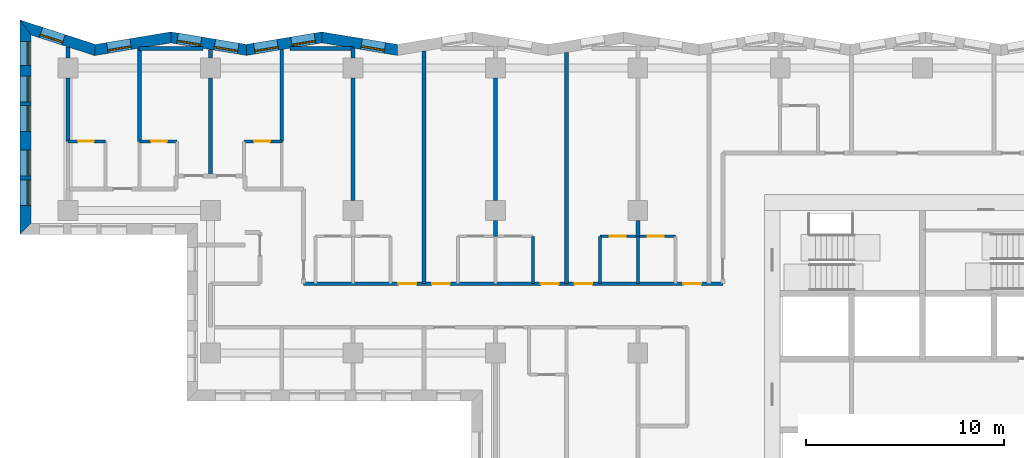
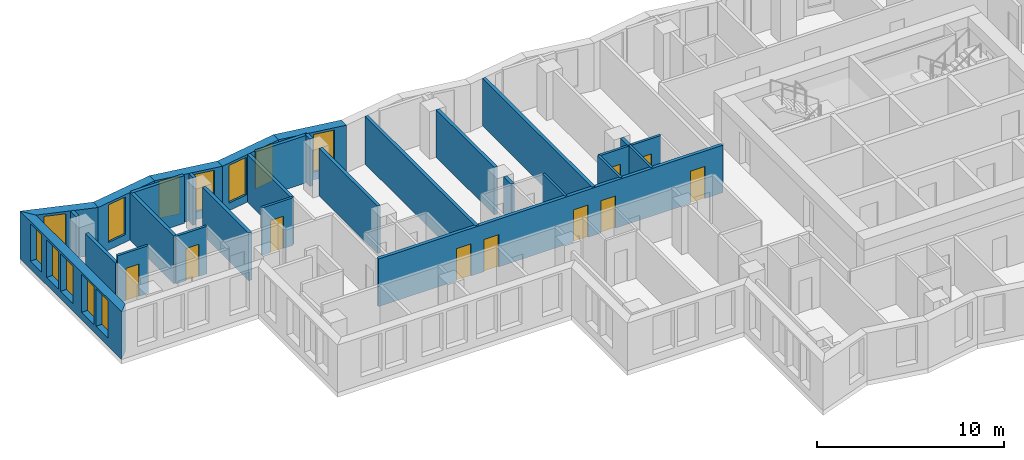
# One storey, part 5 of 14: 29 walls, 12 windows, 10 doors, 22 openings.
"""IFC4 building model written with IfcOpenShell, lengths in metres."""

from ifc_helpers import new_model, si_unit, direction, frame, frame_2d, origin, place, context, subcontext, project, spatial, polyline, rectangle, outline, extrude, material, layer, layer_set, type_object, element, fill, save


model = new_model("IFC4")

# Units and contexts
model_context = context("Model", 3, precision=1e-05, world=origin(), true_north=direction((0.0, 1.0)))
body_context = subcontext(model_context, "Body", "Model", "MODEL_VIEW")
ifc_project = project(units=[si_unit("LENGTHUNIT", "METRE"), si_unit("AREAUNIT", "SQUARE_METRE"), si_unit("VOLUMEUNIT", "CUBIC_METRE"), si_unit("PLANEANGLEUNIT", "RADIAN"), si_unit("MASSUNIT", "GRAM", prefix="KILO")], contexts=[model_context])

# Site, building, storey
site_placement = place(None, origin())
site = spatial("IfcSite", under=ifc_project, at=site_placement, CompositionType="ELEMENT")
building_placement = place(site_placement, origin())
building = spatial("IfcBuilding", under=site, at=building_placement, Name="Windrow Commons", CompositionType="ELEMENT")
storey_placement = place(building_placement, frame((0.0, 0.0, 118.6)))
storey = spatial("IfcBuildingStorey", under=building, at=storey_placement, Name="L32", CompositionType="ELEMENT", Elevation=118.6)

# Wall, opening, window
ifc_material_1 = material(Name="Brick masonry, red clay brick", Category="masonry")
ifc_layer_1 = layer(ifc_material_1, 0.55)
ifc_layer_set_1 = layer_set([ifc_layer_1], Name="Brick facade wall 550")
wall_type_1 = type_object("IfcWallType", Name="Brick facade wall 550", PredefinedType="SOLIDWALL", material=ifc_layer_set_1)
wall_1_placement = place(storey_placement, frame((38.2409, 72.9212, 0.0), z_axis=(0.0, 0.0, 1.0), x_axis=(-0.9865110911, 0.1636944324, 0.0)))
wall_1 = element("IfcWall", 1, at=wall_1_placement, inside=storey, type_object=wall_type_1, Name="Brick facade wall L32 32", PredefinedType="SOLIDWALL", context=body_context, shape_type="SweptSolid", body=[
    extrude(outline(polyline([(0.0456, -0.275), (3.9126, -0.275), (3.8213, 0.275), (-0.0456, 0.275), (0.0456, -0.275)])), origin(), (0.0, 0.0, 1.0), 3.1),
])
opening_1_placement = place(wall_1_placement, frame((0.6358, 0.0, 0.5)))
opening_1 = element("IfcOpeningElement", 2, at=opening_1_placement, cuts=wall_1, Name="Opening W7D", PredefinedType="OPENING", context=body_context, shape_type="SweptSolid", body=[
    extrude(rectangle(XDim=1.2, YDim=2.45, at=frame_2d((0.6, 1.225))), frame((0.0, 0.285, 0.0), z_axis=(0.0, -1.0, 0.0), x_axis=(1.0, 0.0, 0.0)), (0.0, 0.0, 1.0), 0.57),
])
ifc_material_2 = material(Name="Clear float glass in anodised aluminium frame", Category="aluminium")
window_type_1 = type_object("IfcWindowType", Name="Window W7 notch 1200x2450", PartitioningType="SINGLE_PANEL", PredefinedType="WINDOW", material=ifc_material_2)
window_1_placement = place(opening_1_placement, origin())
window_1 = element("IfcWindow", 3, at=window_1_placement, inside=storey, type_object=window_type_1, Name="Window L32 32.1", OverallHeight=2.45, OverallWidth=1.2, PartitioningType="SINGLE_PANEL", PredefinedType="WINDOW", context=body_context, shape_type="SweptSolid", body=[
    extrude(rectangle(XDim=1.2, YDim=2.45, at=frame_2d((0.6, 1.225))), frame((0.0, 0.155, 0.0), z_axis=(0.0, -1.0, 0.0), x_axis=(1.0, 0.0, 0.0)), (0.0, 0.0, 1.0), 0.06),
])
fill(opening_1, window_1)

# Wall, openings, windows
wall_2_placement = place(storey_placement, frame((34.4261, 73.5542, 0.0), z_axis=(0.0, 0.0, 1.0), x_axis=(-0.9865103981, -0.1636986085, 0.0)))
wall_2 = element("IfcWall", 4, at=wall_2_placement, inside=storey, type_object=wall_type_1, Name="Brick facade wall L32 33", PredefinedType="SOLIDWALL", context=body_context, shape_type="SweptSolid", body=[
    extrude(outline(polyline([(-0.0456, -0.275), (3.8213, -0.275), (3.9126, 0.275), (0.0456, 0.275), (-0.0456, -0.275)])), origin(), (0.0, 0.0, 1.0), 3.1),
])
opening_2_placement = place(wall_2_placement, frame((0.3497, 0.0, 0.5)))
opening_2 = element("IfcOpeningElement", 5, at=opening_2_placement, cuts=wall_2, Name="Opening W7D", PredefinedType="OPENING", context=body_context, shape_type="SweptSolid", body=[
    extrude(rectangle(XDim=1.2, YDim=2.45, at=frame_2d((0.6, 1.225))), frame((0.0, 0.285, 0.0), z_axis=(0.0, -1.0, 0.0), x_axis=(1.0, 0.0, 0.0)), (0.0, 0.0, 1.0), 0.57),
])
opening_3_placement = place(wall_2_placement, frame((2.2604, 0.0, 0.5)))
opening_3 = element("IfcOpeningElement", 6, at=opening_3_placement, cuts=wall_2, Name="Opening W7D", PredefinedType="OPENING", context=body_context, shape_type="SweptSolid", body=[
    extrude(rectangle(XDim=1.2, YDim=2.45, at=frame_2d((0.6, 1.225))), frame((0.0, 0.285, 0.0), z_axis=(0.0, -1.0, 0.0), x_axis=(1.0, 0.0, 0.0)), (0.0, 0.0, 1.0), 0.57),
])
window_2_placement = place(opening_2_placement, origin())
window_2 = element("IfcWindow", 7, at=window_2_placement, inside=storey, type_object=window_type_1, Name="Window L32 33.1", OverallHeight=2.45, OverallWidth=1.2, PartitioningType="SINGLE_PANEL", PredefinedType="WINDOW", context=body_context, shape_type="SweptSolid", body=[
    extrude(rectangle(XDim=1.2, YDim=2.45, at=frame_2d((0.6, 1.225))), frame((0.0, 0.155, 0.0), z_axis=(0.0, -1.0, 0.0), x_axis=(1.0, 0.0, 0.0)), (0.0, 0.0, 1.0), 0.06),
])
fill(opening_2, window_2)
window_3_placement = place(opening_3_placement, origin())
window_3 = element("IfcWindow", 8, at=window_3_placement, inside=storey, type_object=window_type_1, Name="Window L32 33.2", OverallHeight=2.45, OverallWidth=1.2, PartitioningType="SINGLE_PANEL", PredefinedType="WINDOW", context=body_context, shape_type="SweptSolid", body=[
    extrude(rectangle(XDim=1.2, YDim=2.45, at=frame_2d((0.6, 1.225))), frame((0.0, 0.155, 0.0), z_axis=(0.0, -1.0, 0.0), x_axis=(1.0, 0.0, 0.0)), (0.0, 0.0, 1.0), 0.06),
])
fill(opening_3, window_3)

wall_3_placement = place(storey_placement, frame((30.6114, 72.9212, 0.0), z_axis=(0.0, 0.0, 1.0), x_axis=(-0.9865110911, 0.1636944324, 0.0)))
wall_3 = element("IfcWall", 9, at=wall_3_placement, inside=storey, type_object=wall_type_1, Name="Brick facade wall L32 34", PredefinedType="SOLIDWALL", context=body_context, shape_type="SweptSolid", body=[
    extrude(outline(polyline([(0.0456, -0.275), (3.9126, -0.275), (3.8213, 0.275), (-0.0456, 0.275), (0.0456, -0.275)])), origin(), (0.0, 0.0, 1.0), 3.1),
])
opening_4_placement = place(wall_3_placement, frame((0.4181, 0.0, 0.5)))
opening_4 = element("IfcOpeningElement", 10, at=opening_4_placement, cuts=wall_3, Name="Opening W7D", PredefinedType="OPENING", context=body_context, shape_type="SweptSolid", body=[
    extrude(rectangle(XDim=1.2, YDim=2.45, at=frame_2d((0.6, 1.225))), frame((0.0, 0.285, 0.0), z_axis=(0.0, -1.0, 0.0), x_axis=(1.0, 0.0, 0.0)), (0.0, 0.0, 1.0), 0.57),
])
opening_5_placement = place(wall_3_placement, frame((2.3287, 0.0, 0.5)))
opening_5 = element("IfcOpeningElement", 11, at=opening_5_placement, cuts=wall_3, Name="Opening W7D", PredefinedType="OPENING", context=body_context, shape_type="SweptSolid", body=[
    extrude(rectangle(XDim=1.2, YDim=2.45, at=frame_2d((0.6, 1.225))), frame((0.0, 0.285, 0.0), z_axis=(0.0, -1.0, 0.0), x_axis=(1.0, 0.0, 0.0)), (0.0, 0.0, 1.0), 0.57),
])
window_4_placement = place(opening_4_placement, origin())
window_4 = element("IfcWindow", 12, at=window_4_placement, inside=storey, type_object=window_type_1, Name="Window L32 34.1", OverallHeight=2.45, OverallWidth=1.2, PartitioningType="SINGLE_PANEL", PredefinedType="WINDOW", context=body_context, shape_type="SweptSolid", body=[
    extrude(rectangle(XDim=1.2, YDim=2.45, at=frame_2d((0.6, 1.225))), frame((0.0, 0.155, 0.0), z_axis=(0.0, -1.0, 0.0), x_axis=(1.0, 0.0, 0.0)), (0.0, 0.0, 1.0), 0.06),
])
fill(opening_4, window_4)
window_5_placement = place(opening_5_placement, origin())
window_5 = element("IfcWindow", 13, at=window_5_placement, inside=storey, type_object=window_type_1, Name="Window L32 34.2", OverallHeight=2.45, OverallWidth=1.2, PartitioningType="SINGLE_PANEL", PredefinedType="WINDOW", context=body_context, shape_type="SweptSolid", body=[
    extrude(rectangle(XDim=1.2, YDim=2.45, at=frame_2d((0.6, 1.225))), frame((0.0, 0.155, 0.0), z_axis=(0.0, -1.0, 0.0), x_axis=(1.0, 0.0, 0.0)), (0.0, 0.0, 1.0), 0.06),
])
fill(opening_5, window_5)

# Wall, opening, window
wall_4_placement = place(storey_placement, frame((26.7966, 73.5542, 0.0), z_axis=(0.0, 0.0, 1.0), x_axis=(-0.9865146039, -0.1636732608, 0.0)))
wall_4 = element("IfcWall", 14, at=wall_4_placement, inside=storey, type_object=wall_type_1, Name="Brick facade wall L32 35", PredefinedType="SOLIDWALL", context=body_context, shape_type="SweptSolid", body=[
    extrude(outline(polyline([(-0.0456, -0.275), (3.8213, -0.275), (3.9551, 0.275), (0.0456, 0.275), (-0.0456, -0.275)])), origin(), (0.0, 0.0, 1.0), 3.1),
])
opening_6_placement = place(wall_4_placement, frame((2.0533, 0.0, 0.5)))
opening_6 = element("IfcOpeningElement", 15, at=opening_6_placement, cuts=wall_4, Name="Opening W7D", PredefinedType="OPENING", context=body_context, shape_type="SweptSolid", body=[
    extrude(rectangle(XDim=1.2, YDim=2.45, at=frame_2d((0.6, 1.225))), frame((0.0, 0.285, 0.0), z_axis=(0.0, -1.0, 0.0), x_axis=(1.0, 0.0, 0.0)), (0.0, 0.0, 1.0), 0.57),
])
window_6_placement = place(opening_6_placement, origin())
window_6 = element("IfcWindow", 16, at=window_6_placement, inside=storey, type_object=window_type_1, Name="Window L32 35.1", OverallHeight=2.45, OverallWidth=1.2, PartitioningType="SINGLE_PANEL", PredefinedType="WINDOW", context=body_context, shape_type="SweptSolid", body=[
    extrude(rectangle(XDim=1.2, YDim=2.45, at=frame_2d((0.6, 1.225))), frame((0.0, 0.155, 0.0), z_axis=(0.0, -1.0, 0.0), x_axis=(1.0, 0.0, 0.0)), (0.0, 0.0, 1.0), 0.06),
])
fill(opening_6, window_6)

wall_5_placement = place(storey_placement, frame((22.9608, 72.9178, 0.0), z_axis=(0.0, 0.0, 1.0), x_axis=(-0.9515343902, 0.3075423616, 0.0)))
wall_5 = element("IfcWall", 17, at=wall_5_placement, inside=storey, type_object=wall_type_1, Name="Brick facade wall L32 36", PredefinedType="SOLIDWALL", context=body_context, shape_type="SweptSolid", body=[
    extrude(outline(polyline([(0.0669, -0.275), (4.076, -0.275), (3.3202, 0.275), (-0.0669, 0.275), (0.0669, -0.275)])), origin(), (0.0, 0.0, 1.0), 3.1),
])
opening_7_placement = place(wall_5_placement, frame((1.6752, 0.0, 0.5)))
opening_7 = element("IfcOpeningElement", 18, at=opening_7_placement, cuts=wall_5, Name="Opening W7D", PredefinedType="OPENING", context=body_context, shape_type="SweptSolid", body=[
    extrude(rectangle(XDim=1.2, YDim=2.45, at=frame_2d((0.6, 1.225))), frame((0.0, 0.285, 0.0), z_axis=(0.0, -1.0, 0.0), x_axis=(1.0, 0.0, 0.0)), (0.0, 0.0, 1.0), 0.57),
])
window_7_placement = place(opening_7_placement, origin())
window_7 = element("IfcWindow", 19, at=window_7_placement, inside=storey, type_object=window_type_1, Name="Window L32 36.1", OverallHeight=2.45, OverallWidth=1.2, PartitioningType="SINGLE_PANEL", PredefinedType="WINDOW", context=body_context, shape_type="SweptSolid", body=[
    extrude(rectangle(XDim=1.2, YDim=2.45, at=frame_2d((0.6, 1.225))), frame((0.0, 0.155, 0.0), z_axis=(0.0, -1.0, 0.0), x_axis=(1.0, 0.0, 0.0)), (0.0, 0.0, 1.0), 0.06),
])
fill(opening_7, window_7)

# Wall, openings, windows
wall_6_placement = place(storey_placement, frame((19.442, 74.0551, 0.0), z_axis=(0.0, 0.0, 1.0), x_axis=(0.0, -1.0, 0.0)))
wall_6 = element("IfcWall", 20, at=wall_6_placement, inside=storey, type_object=wall_type_1, Name="Brick facade wall L32 37", PredefinedType="SOLIDWALL", context=body_context, shape_type="SweptSolid", body=[
    extrude(outline(polyline([(-0.3779, -0.275), (10.4551, -0.275), (9.9051, 0.275), (0.3779, 0.275), (-0.3779, -0.275)])), origin(), (0.0, 0.0, 1.0), 3.1),
])
opening_8_placement = place(wall_6_placement, frame((2.4551, 0.0, 0.5)))
opening_8 = element("IfcOpeningElement", 21, at=opening_8_placement, cuts=wall_6, Name="Opening W1P", PredefinedType="OPENING", context=body_context, shape_type="SweptSolid", body=[
    extrude(rectangle(XDim=1.3, YDim=2.45, at=frame_2d((0.65, 1.225))), frame((0.0, 0.285, 0.0), z_axis=(0.0, -1.0, 0.0), x_axis=(1.0, 0.0, 0.0)), (0.0, 0.0, 1.0), 0.57),
])
opening_9_placement = place(wall_6_placement, frame((3.9551, 0.0, 0.5)))
opening_9 = element("IfcOpeningElement", 22, at=opening_9_placement, cuts=wall_6, Name="Opening W1P", PredefinedType="OPENING", context=body_context, shape_type="SweptSolid", body=[
    extrude(rectangle(XDim=1.3, YDim=2.45, at=frame_2d((0.65, 1.225))), frame((0.0, 0.285, 0.0), z_axis=(0.0, -1.0, 0.0), x_axis=(1.0, 0.0, 0.0)), (0.0, 0.0, 1.0), 0.57),
])
opening_10_placement = place(wall_6_placement, frame((6.2051, 0.0, 0.5)))
opening_10 = element("IfcOpeningElement", 23, at=opening_10_placement, cuts=wall_6, Name="Opening W1P", PredefinedType="OPENING", context=body_context, shape_type="SweptSolid", body=[
    extrude(rectangle(XDim=1.3, YDim=2.45, at=frame_2d((0.65, 1.225))), frame((0.0, 0.285, 0.0), z_axis=(0.0, -1.0, 0.0), x_axis=(1.0, 0.0, 0.0)), (0.0, 0.0, 1.0), 0.57),
])
opening_11_placement = place(wall_6_placement, frame((7.7051, 0.0, 0.5)))
opening_11 = element("IfcOpeningElement", 24, at=opening_11_placement, cuts=wall_6, Name="Opening W1P", PredefinedType="OPENING", context=body_context, shape_type="SweptSolid", body=[
    extrude(rectangle(XDim=1.3, YDim=2.45, at=frame_2d((0.65, 1.225))), frame((0.0, 0.285, 0.0), z_axis=(0.0, -1.0, 0.0), x_axis=(1.0, 0.0, 0.0)), (0.0, 0.0, 1.0), 0.57),
])
opening_12_placement = place(wall_6_placement, frame((0.7165, 0.0, 0.5)))
opening_12 = element("IfcOpeningElement", 25, at=opening_12_placement, cuts=wall_6, Name="Opening W7D", PredefinedType="OPENING", context=body_context, shape_type="SweptSolid", body=[
    extrude(rectangle(XDim=1.2, YDim=2.45, at=frame_2d((0.6, 1.225))), frame((0.0, 0.285, 0.0), z_axis=(0.0, -1.0, 0.0), x_axis=(1.0, 0.0, 0.0)), (0.0, 0.0, 1.0), 0.57),
])
ifc_material_3 = material(Name="Clear float glass in anodised aluminium frame", Category="aluminium")
window_type_2 = type_object("IfcWindowType", Name="Window W1P pair 1300x2450", PartitioningType="SINGLE_PANEL", PredefinedType="WINDOW", material=ifc_material_3)
window_8_placement = place(opening_8_placement, origin())
window_8 = element("IfcWindow", 26, at=window_8_placement, inside=storey, type_object=window_type_2, Name="Window L32 37.1A", OverallHeight=2.45, OverallWidth=1.3, PartitioningType="SINGLE_PANEL", PredefinedType="WINDOW", context=body_context, shape_type="SweptSolid", body=[
    extrude(rectangle(XDim=1.3, YDim=2.45, at=frame_2d((0.65, 1.225))), frame((0.0, 0.155, 0.0), z_axis=(0.0, -1.0, 0.0), x_axis=(1.0, 0.0, 0.0)), (0.0, 0.0, 1.0), 0.06),
])
fill(opening_8, window_8)
window_9_placement = place(opening_9_placement, origin())
window_9 = element("IfcWindow", 27, at=window_9_placement, inside=storey, type_object=window_type_2, Name="Window L32 37.1B", OverallHeight=2.45, OverallWidth=1.3, PartitioningType="SINGLE_PANEL", PredefinedType="WINDOW", context=body_context, shape_type="SweptSolid", body=[
    extrude(rectangle(XDim=1.3, YDim=2.45, at=frame_2d((0.65, 1.225))), frame((0.0, 0.155, 0.0), z_axis=(0.0, -1.0, 0.0), x_axis=(1.0, 0.0, 0.0)), (0.0, 0.0, 1.0), 0.06),
])
fill(opening_9, window_9)
window_10_placement = place(opening_10_placement, origin())
window_10 = element("IfcWindow", 28, at=window_10_placement, inside=storey, type_object=window_type_2, Name="Window L32 37.2A", OverallHeight=2.45, OverallWidth=1.3, PartitioningType="SINGLE_PANEL", PredefinedType="WINDOW", context=body_context, shape_type="SweptSolid", body=[
    extrude(rectangle(XDim=1.3, YDim=2.45, at=frame_2d((0.65, 1.225))), frame((0.0, 0.155, 0.0), z_axis=(0.0, -1.0, 0.0), x_axis=(1.0, 0.0, 0.0)), (0.0, 0.0, 1.0), 0.06),
])
fill(opening_10, window_10)
window_11_placement = place(opening_11_placement, origin())
window_11 = element("IfcWindow", 29, at=window_11_placement, inside=storey, type_object=window_type_2, Name="Window L32 37.2B", OverallHeight=2.45, OverallWidth=1.3, PartitioningType="SINGLE_PANEL", PredefinedType="WINDOW", context=body_context, shape_type="SweptSolid", body=[
    extrude(rectangle(XDim=1.3, YDim=2.45, at=frame_2d((0.65, 1.225))), frame((0.0, 0.155, 0.0), z_axis=(0.0, -1.0, 0.0), x_axis=(1.0, 0.0, 0.0)), (0.0, 0.0, 1.0), 0.06),
])
fill(opening_11, window_11)
window_12_placement = place(opening_12_placement, origin())
window_12 = element("IfcWindow", 30, at=window_12_placement, inside=storey, type_object=window_type_1, Name="Window L32 37.3", OverallHeight=2.45, OverallWidth=1.2, PartitioningType="SINGLE_PANEL", PredefinedType="WINDOW", context=body_context, shape_type="SweptSolid", body=[
    extrude(rectangle(XDim=1.2, YDim=2.45, at=frame_2d((0.6, 1.225))), frame((0.0, 0.155, 0.0), z_axis=(0.0, -1.0, 0.0), x_axis=(1.0, 0.0, 0.0)), (0.0, 0.0, 1.0), 0.06),
])
fill(opening_12, window_12)

# Wall, openings, doors
ifc_material_4 = material(Name="Blockwork partition", Category="masonry")
ifc_layer_2 = layer(ifc_material_4, 0.2)
ifc_layer_set_2 = layer_set([ifc_layer_2], Name="IW-CORRIDOR-200")
wall_type_2 = type_object("IfcWallType", Name="IW-CORRIDOR-200", PredefinedType="PARTITIONING", material=ifc_layer_set_2)
wall_7_placement = place(storey_placement, frame((33.502, 61.1, 0.0), z_axis=(0.0, 0.0, 1.0), x_axis=(1.0, 0.0, 0.0)))
wall_7 = element("IfcWall", 31, at=wall_7_placement, inside=storey, type_object=wall_type_2, Name="W-L32-W001", PredefinedType="PARTITIONING", context=body_context, shape_type="SweptSolid", body=[
    extrude(rectangle(XDim=21.198, YDim=0.2, at=frame_2d((10.599, 0.0))), origin(), (0.0, 0.0, 1.0), 3.1),
])
opening_13_placement = place(wall_7_placement, frame((4.798, 0.0, 0.0)))
opening_13 = element("IfcOpeningElement", 32, at=opening_13_placement, cuts=wall_7, Name="Opening D109S", PredefinedType="OPENING", context=body_context, shape_type="SweptSolid", body=[
    extrude(rectangle(XDim=0.9, YDim=2.1, at=frame_2d((0.45, 1.05))), frame((0.0, 0.11, 0.0), z_axis=(0.0, -1.0, 0.0), x_axis=(1.0, 0.0, 0.0)), (0.0, 0.0, 1.0), 0.22),
])
opening_14_placement = place(wall_7_placement, frame((6.498, 0.0, 0.0)))
opening_14 = element("IfcOpeningElement", 33, at=opening_14_placement, cuts=wall_7, Name="Opening D109S", PredefinedType="OPENING", context=body_context, shape_type="SweptSolid", body=[
    extrude(rectangle(XDim=0.9, YDim=2.1, at=frame_2d((0.45, 1.05))), frame((0.0, 0.11, 0.0), z_axis=(0.0, -1.0, 0.0), x_axis=(1.0, 0.0, 0.0)), (0.0, 0.0, 1.0), 0.22),
])
opening_15_placement = place(wall_7_placement, frame((11.998, 0.0, 0.0)))
opening_15 = element("IfcOpeningElement", 34, at=opening_15_placement, cuts=wall_7, Name="Opening D109S", PredefinedType="OPENING", context=body_context, shape_type="SweptSolid", body=[
    extrude(rectangle(XDim=0.9, YDim=2.1, at=frame_2d((0.45, 1.05))), frame((0.0, 0.11, 0.0), z_axis=(0.0, -1.0, 0.0), x_axis=(1.0, 0.0, 0.0)), (0.0, 0.0, 1.0), 0.22),
])
opening_16_placement = place(wall_7_placement, frame((13.698, 0.0, 0.0)))
opening_16 = element("IfcOpeningElement", 35, at=opening_16_placement, cuts=wall_7, Name="Opening D109S", PredefinedType="OPENING", context=body_context, shape_type="SweptSolid", body=[
    extrude(rectangle(XDim=0.9, YDim=2.1, at=frame_2d((0.45, 1.05))), frame((0.0, 0.11, 0.0), z_axis=(0.0, -1.0, 0.0), x_axis=(1.0, 0.0, 0.0)), (0.0, 0.0, 1.0), 0.22),
])
opening_17_placement = place(wall_7_placement, frame((19.198, 0.0, 0.0)))
opening_17 = element("IfcOpeningElement", 36, at=opening_17_placement, cuts=wall_7, Name="Opening D109S", PredefinedType="OPENING", context=body_context, shape_type="SweptSolid", body=[
    extrude(rectangle(XDim=0.9, YDim=2.1, at=frame_2d((0.45, 1.05))), frame((0.0, 0.11, 0.0), z_axis=(0.0, -1.0, 0.0), x_axis=(1.0, 0.0, 0.0)), (0.0, 0.0, 1.0), 0.22),
])
ifc_material_5 = material(Name="Timber door leaf", Category="wood")
door_type_1 = type_object("IfcDoorType", Name="DT-BEDROOM-900", OperationType="SINGLE_SWING_LEFT", PredefinedType="DOOR", material=ifc_material_5)
door_1_placement = place(opening_13_placement, origin())
door_1 = element("IfcDoor", 37, at=door_1_placement, inside=storey, type_object=door_type_1, Name="D-L32-D027", OperationType="SINGLE_SWING_RIGHT", OverallHeight=2.1, OverallWidth=0.9, PredefinedType="DOOR", context=body_context, shape_type="SweptSolid", body=[
    extrude(rectangle(XDim=0.9, YDim=2.1, at=frame_2d((0.45, 1.05))), frame((0.0, 0.025, 0.0), z_axis=(0.0, -1.0, 0.0), x_axis=(1.0, 0.0, 0.0)), (0.0, 0.0, 1.0), 0.05),
])
fill(opening_13, door_1)
door_2_placement = place(opening_14_placement, origin())
door_2 = element("IfcDoor", 38, at=door_2_placement, inside=storey, type_object=door_type_1, Name="D-L32-D029", OperationType="SINGLE_SWING_LEFT", OverallHeight=2.1, OverallWidth=0.9, PredefinedType="DOOR", context=body_context, shape_type="SweptSolid", body=[
    extrude(rectangle(XDim=0.9, YDim=2.1, at=frame_2d((0.45, 1.05))), frame((0.0, 0.025, 0.0), z_axis=(0.0, -1.0, 0.0), x_axis=(1.0, 0.0, 0.0)), (0.0, 0.0, 1.0), 0.05),
])
fill(opening_14, door_2)
door_3_placement = place(opening_15_placement, origin())
door_3 = element("IfcDoor", 39, at=door_3_placement, inside=storey, type_object=door_type_1, Name="D-L32-D031", OperationType="SINGLE_SWING_RIGHT", OverallHeight=2.1, OverallWidth=0.9, PredefinedType="DOOR", context=body_context, shape_type="SweptSolid", body=[
    extrude(rectangle(XDim=0.9, YDim=2.1, at=frame_2d((0.45, 1.05))), frame((0.0, 0.025, 0.0), z_axis=(0.0, -1.0, 0.0), x_axis=(1.0, 0.0, 0.0)), (0.0, 0.0, 1.0), 0.05),
])
fill(opening_15, door_3)
door_4_placement = place(opening_16_placement, origin())
door_4 = element("IfcDoor", 40, at=door_4_placement, inside=storey, type_object=door_type_1, Name="D-L32-D033", OperationType="SINGLE_SWING_LEFT", OverallHeight=2.1, OverallWidth=0.9, PredefinedType="DOOR", context=body_context, shape_type="SweptSolid", body=[
    extrude(rectangle(XDim=0.9, YDim=2.1, at=frame_2d((0.45, 1.05))), frame((0.0, 0.025, 0.0), z_axis=(0.0, -1.0, 0.0), x_axis=(1.0, 0.0, 0.0)), (0.0, 0.0, 1.0), 0.05),
])
fill(opening_16, door_4)
door_5_placement = place(opening_17_placement, origin())
door_5 = element("IfcDoor", 41, at=door_5_placement, inside=storey, type_object=door_type_1, Name="D-L32-D035", OperationType="SINGLE_SWING_RIGHT", OverallHeight=2.1, OverallWidth=0.9, PredefinedType="DOOR", context=body_context, shape_type="SweptSolid", body=[
    extrude(rectangle(XDim=0.9, YDim=2.1, at=frame_2d((0.45, 1.05))), frame((0.0, 0.025, 0.0), z_axis=(0.0, -1.0, 0.0), x_axis=(1.0, 0.0, 0.0)), (0.0, 0.0, 1.0), 0.05),
])
fill(opening_17, door_5)

ifc_material_6 = material(Name="Blockwork partition", Category="masonry")
ifc_layer_3 = layer(ifc_material_6, 0.15)
ifc_layer_set_3 = layer_set([ifc_layer_3], Name="IW-ENSUITE-150")
wall_type_3 = type_object("IfcWallType", Name="IW-ENSUITE-150", PredefinedType="PARTITIONING", material=ifc_layer_set_3)
wall_8_placement = place(storey_placement, frame((48.5, 63.5, 0.0), z_axis=(0.0, 0.0, 1.0), x_axis=(1.0, 0.0, 0.0)))
wall_8 = element("IfcWall", 42, at=wall_8_placement, inside=storey, type_object=wall_type_3, Name="W-L32-W054", PredefinedType="PARTITIONING", context=body_context, shape_type="SweptSolid", body=[
    extrude(rectangle(XDim=3.8, YDim=0.15, at=frame_2d((1.9, 0.0))), origin(), (0.0, 0.0, 1.0), 3.1),
])
opening_18_placement = place(wall_8_placement, frame((0.4931, 0.0, 0.0)))
opening_18 = element("IfcOpeningElement", 43, at=opening_18_placement, cuts=wall_8, Name="Opening D208N", PredefinedType="OPENING", context=body_context, shape_type="SweptSolid", body=[
    extrude(rectangle(XDim=0.8, YDim=2.1, at=frame_2d((0.4, 1.05))), frame((0.0, 0.085, 0.0), z_axis=(0.0, -1.0, 0.0), x_axis=(1.0, 0.0, 0.0)), (0.0, 0.0, 1.0), 0.17),
])
opening_19_placement = place(wall_8_placement, frame((2.4021, 0.0, 0.0)))
opening_19 = element("IfcOpeningElement", 44, at=opening_19_placement, cuts=wall_8, Name="Opening D208N", PredefinedType="OPENING", context=body_context, shape_type="SweptSolid", body=[
    extrude(rectangle(XDim=0.8, YDim=2.1, at=frame_2d((0.4, 1.05))), frame((0.0, 0.085, 0.0), z_axis=(0.0, -1.0, 0.0), x_axis=(1.0, 0.0, 0.0)), (0.0, 0.0, 1.0), 0.17),
])
ifc_material_7 = material(Name="Timber door leaf", Category="wood")
door_type_2 = type_object("IfcDoorType", Name="DT-ENSUITE-800", OperationType="SINGLE_SWING_LEFT", PredefinedType="DOOR", material=ifc_material_7)
door_6_placement = place(opening_18_placement, origin())
door_6 = element("IfcDoor", 45, at=door_6_placement, inside=storey, type_object=door_type_2, Name="D-L32-D034", OperationType="SINGLE_SWING_RIGHT", OverallHeight=2.1, OverallWidth=0.8, PredefinedType="DOOR", context=body_context, shape_type="SweptSolid", body=[
    extrude(rectangle(XDim=0.8, YDim=2.1, at=frame_2d((0.4, 1.05))), frame((0.0, 0.025, 0.0), z_axis=(0.0, -1.0, 0.0), x_axis=(1.0, 0.0, 0.0)), (0.0, 0.0, 1.0), 0.05),
])
fill(opening_18, door_6)
door_7_placement = place(opening_19_placement, origin())
door_7 = element("IfcDoor", 46, at=door_7_placement, inside=storey, type_object=door_type_2, Name="D-L32-D036", OperationType="SINGLE_SWING_RIGHT", OverallHeight=2.1, OverallWidth=0.8, PredefinedType="DOOR", context=body_context, shape_type="SweptSolid", body=[
    extrude(rectangle(XDim=0.8, YDim=2.1, at=frame_2d((0.4, 1.05))), frame((0.0, 0.025, 0.0), z_axis=(0.0, -1.0, 0.0), x_axis=(1.0, 0.0, 0.0)), (0.0, 0.0, 1.0), 0.05),
])
fill(opening_19, door_7)

# Walls
for number, where, z_axis, x_axis, name in (
    (47, (45.1, 61.1, 0.0), (0.0, 0.0, 1.0), (0.0, 1.0, 0.0), "W-L32-W093"),
    (48, (48.5, 61.1, 0.0), (0.0, 0.0, 1.0), (0.0, 1.0, 0.0), "W-L32-W096"),
    (49, (50.4, 61.1, 0.0), (0.0, 0.0, 1.0), (0.0, 1.0, 0.0), "W-L32-W097"),
):
    element("IfcWall", number, at=place(storey_placement, frame(where, z_axis=z_axis, x_axis=x_axis)), inside=storey, type_object=wall_type_3, Name=name, PredefinedType="PARTITIONING", context=body_context, shape_type="SweptSolid", body=[
        extrude(rectangle(XDim=2.4, YDim=0.15, at=frame_2d((1.2, 0.0))), origin(), (0.0, 0.0, 1.0), 3.1),
    ])

# Wall, opening, door
wall_9_placement = place(storey_placement, frame((25.2, 68.3, 0.0), z_axis=(0.0, 0.0, 1.0), x_axis=(1.0, 0.0, 0.0)))
wall_9 = element("IfcWall", 50, at=wall_9_placement, inside=storey, type_object=wall_type_3, Name="W-L32-W143", PredefinedType="PARTITIONING", context=body_context, shape_type="SweptSolid", body=[
    extrude(rectangle(XDim=1.9, YDim=0.15, at=frame_2d((0.95, 0.0))), origin(), (0.0, 0.0, 1.0), 3.1),
])
opening_20_placement = place(wall_9_placement, frame((0.6021, 0.0, 0.0)))
opening_20 = element("IfcOpeningElement", 51, at=opening_20_placement, cuts=wall_9, Name="Opening D208N", PredefinedType="OPENING", context=body_context, shape_type="SweptSolid", body=[
    extrude(rectangle(XDim=0.8, YDim=2.1, at=frame_2d((0.4, 1.05))), frame((0.0, 0.085, 0.0), z_axis=(0.0, -1.0, 0.0), x_axis=(1.0, 0.0, 0.0)), (0.0, 0.0, 1.0), 0.17),
])
door_8_placement = place(opening_20_placement, origin())
door_8 = element("IfcDoor", 52, at=door_8_placement, inside=storey, type_object=door_type_2, Name="D-L32-D022", OperationType="SINGLE_SWING_RIGHT", OverallHeight=2.1, OverallWidth=0.8, PredefinedType="DOOR", context=body_context, shape_type="SweptSolid", body=[
    extrude(rectangle(XDim=0.8, YDim=2.1, at=frame_2d((0.4, 1.05))), frame((0.0, 0.025, 0.0), z_axis=(0.0, -1.0, 0.0), x_axis=(1.0, 0.0, 0.0)), (0.0, 0.0, 1.0), 0.05),
])
fill(opening_20, door_8)

wall_10_placement = place(storey_placement, frame((21.6, 68.3, 0.0), z_axis=(0.0, 0.0, 1.0), x_axis=(1.0, 0.0, 0.0)))
wall_10 = element("IfcWall", 53, at=wall_10_placement, inside=storey, type_object=wall_type_3, Name="W-L32-W144", PredefinedType="PARTITIONING", context=body_context, shape_type="SweptSolid", body=[
    extrude(rectangle(XDim=1.9, YDim=0.15, at=frame_2d((0.95, 0.0))), origin(), (0.0, 0.0, 1.0), 3.1),
])
opening_21_placement = place(wall_10_placement, frame((0.5021, 0.0, 0.0)))
opening_21 = element("IfcOpeningElement", 54, at=opening_21_placement, cuts=wall_10, Name="Opening D208N", PredefinedType="OPENING", context=body_context, shape_type="SweptSolid", body=[
    extrude(rectangle(XDim=0.8, YDim=2.1, at=frame_2d((0.4, 1.05))), frame((0.0, 0.085, 0.0), z_axis=(0.0, -1.0, 0.0), x_axis=(1.0, 0.0, 0.0)), (0.0, 0.0, 1.0), 0.17),
])
door_9_placement = place(opening_21_placement, origin())
door_9 = element("IfcDoor", 55, at=door_9_placement, inside=storey, type_object=door_type_2, Name="D-L32-D020", OperationType="SINGLE_SWING_RIGHT", OverallHeight=2.1, OverallWidth=0.8, PredefinedType="DOOR", context=body_context, shape_type="SweptSolid", body=[
    extrude(rectangle(XDim=0.8, YDim=2.1, at=frame_2d((0.4, 1.05))), frame((0.0, 0.025, 0.0), z_axis=(0.0, -1.0, 0.0), x_axis=(1.0, 0.0, 0.0)), (0.0, 0.0, 1.0), 0.05),
])
fill(opening_21, door_9)

wall_11_placement = place(storey_placement, frame((30.5, 68.3, 0.0), z_axis=(0.0, 0.0, 1.0), x_axis=(1.0, 0.0, 0.0)))
wall_11 = element("IfcWall", 56, at=wall_11_placement, inside=storey, type_object=wall_type_3, Name="W-L32-W145", PredefinedType="PARTITIONING", context=body_context, shape_type="SweptSolid", body=[
    extrude(rectangle(XDim=1.9, YDim=0.15, at=frame_2d((0.95, 0.0))), origin(), (0.0, 0.0, 1.0), 3.1),
])
opening_22_placement = place(wall_11_placement, frame((0.5072, 0.0, 0.0)))
opening_22 = element("IfcOpeningElement", 57, at=opening_22_placement, cuts=wall_11, Name="Opening D208N", PredefinedType="OPENING", context=body_context, shape_type="SweptSolid", body=[
    extrude(rectangle(XDim=0.8, YDim=2.1, at=frame_2d((0.4, 1.05))), frame((0.0, 0.085, 0.0), z_axis=(0.0, -1.0, 0.0), x_axis=(1.0, 0.0, 0.0)), (0.0, 0.0, 1.0), 0.17),
])
door_10_placement = place(opening_22_placement, origin())
door_10 = element("IfcDoor", 58, at=door_10_placement, inside=storey, type_object=door_type_2, Name="D-L32-D024", OperationType="SINGLE_SWING_RIGHT", OverallHeight=2.1, OverallWidth=0.8, PredefinedType="DOOR", context=body_context, shape_type="SweptSolid", body=[
    extrude(rectangle(XDim=0.8, YDim=2.1, at=frame_2d((0.4, 1.05))), frame((0.0, 0.025, 0.0), z_axis=(0.0, -1.0, 0.0), x_axis=(1.0, 0.0, 0.0)), (0.0, 0.0, 1.0), 0.05),
])
fill(opening_22, door_10)

# Walls
ifc_material_8 = material(Name="Blockwork partition", Category="masonry")
ifc_layer_4 = layer(ifc_material_8, 0.2)
ifc_layer_set_4 = layer_set([ifc_layer_4], Name="IW-PARTY-200")
wall_type_4 = type_object("IfcWallType", Name="IW-PARTY-200", PredefinedType="PARTITIONING", material=ifc_layer_set_4)
wall_12_placement = place(storey_placement, frame((39.6, 61.1, 0.0), z_axis=(0.0, 0.0, 1.0), x_axis=(0.0, 1.0, 0.0)))
element("IfcWall", 59, at=wall_12_placement, inside=storey, type_object=wall_type_4, Name="W-L32-W005", PredefinedType="PARTITIONING", context=body_context, shape_type="SweptSolid", body=[
    extrude(rectangle(XDim=11.768, YDim=0.2, at=frame_2d((5.884, 0.0))), origin(), (0.0, 0.0, 1.0), 3.1),
])
wall_13_placement = place(storey_placement, frame((46.8, 61.1, 0.0), z_axis=(0.0, 0.0, 1.0), x_axis=(0.0, 1.0, 0.0)))
element("IfcWall", 60, at=wall_13_placement, inside=storey, type_object=wall_type_4, Name="W-L32-W006", PredefinedType="PARTITIONING", context=body_context, shape_type="SweptSolid", body=[
    extrude(rectangle(XDim=11.6967, YDim=0.2, at=frame_2d((5.8483, 0.0))), origin(), (0.0, 0.0, 1.0), 3.1),
])
for number, where, z_axis, x_axis, name in (
    (61, (36.0, 65.3, 0.0), (0.0, 0.0, 1.0), (0.0, 1.0, 0.0), "W-L32-W027"),
    (62, (43.2, 65.3, 0.0), (0.0, 0.0, 1.0), (0.0, 1.0, 0.0), "W-L32-W029"),
):
    element("IfcWall", number, at=place(storey_placement, frame(where, z_axis=z_axis, x_axis=x_axis)), inside=storey, type_object=wall_type_4, Name=name, PredefinedType="PARTITIONING", context=body_context, shape_type="SweptSolid", body=[
        extrude(rectangle(XDim=6.2, YDim=0.2, at=frame_2d((3.1, 0.0))), origin(), (0.0, 0.0, 1.0), 3.1),
    ])
wall_14_placement = place(storey_placement, frame((28.8, 66.55, 0.0), z_axis=(0.0, 0.0, 1.0), x_axis=(0.0, 1.0, 0.0)))
element("IfcWall", 63, at=wall_14_placement, inside=storey, type_object=wall_type_4, Name="W-L32-W043", PredefinedType="PARTITIONING", context=body_context, shape_type="SweptSolid", body=[
    extrude(rectangle(XDim=4.95, YDim=0.2, at=frame_2d((2.475, 0.0))), origin(), (0.0, 0.0, 1.0), 3.1),
])
wall_15_placement = place(storey_placement, frame((25.2, 68.3, 0.0), z_axis=(0.0, 0.0, 1.0), x_axis=(0.0, 1.0, 0.0)))
element("IfcWall", 64, at=wall_15_placement, inside=storey, type_object=wall_type_4, Name="W-L32-W046", PredefinedType="PARTITIONING", context=body_context, shape_type="SweptSolid", body=[
    extrude(rectangle(XDim=4.7106, YDim=0.2, at=frame_2d((2.3553, 0.0))), origin(), (0.0, 0.0, 1.0), 3.1),
])
wall_16_placement = place(storey_placement, frame((32.4, 68.3, 0.0), z_axis=(0.0, 0.0, 1.0), x_axis=(0.0, 1.0, 0.0)))
element("IfcWall", 65, at=wall_16_placement, inside=storey, type_object=wall_type_4, Name="W-L32-W047", PredefinedType="PARTITIONING", context=body_context, shape_type="SweptSolid", body=[
    extrude(rectangle(XDim=4.6393, YDim=0.2, at=frame_2d((2.3197, 0.0))), origin(), (0.0, 0.0, 1.0), 3.1),
])
wall_17_placement = place(storey_placement, frame((32.816, 73.0, 0.0), z_axis=(0.0, 0.0, 1.0), x_axis=(1.0, 0.0, 0.0)))
element("IfcWall", 66, at=wall_17_placement, inside=storey, type_object=wall_type_4, Name="W-L32-W062", PredefinedType="PARTITIONING", context=body_context, shape_type="SweptSolid", body=[
    extrude(rectangle(XDim=3.2203, YDim=0.2, at=frame_2d((1.6101, 0.0))), origin(), (0.0, 0.0, 1.0), 3.1),
])
wall_18_placement = place(storey_placement, frame((25.1864, 73.0, 0.0), z_axis=(0.0, 0.0, 1.0), x_axis=(1.0, 0.0, 0.0)))
element("IfcWall", 67, at=wall_18_placement, inside=storey, type_object=wall_type_4, Name="W-L32-W064", PredefinedType="PARTITIONING", context=body_context, shape_type="SweptSolid", body=[
    extrude(rectangle(XDim=3.2204, YDim=0.2, at=frame_2d((1.6102, 0.0))), origin(), (0.0, 0.0, 1.0), 3.1),
])
wall_19_placement = place(storey_placement, frame((21.6, 68.3, 0.0), z_axis=(0.0, 0.0, 1.0), x_axis=(0.0, 1.0, 0.0)))
element("IfcWall", 68, at=wall_19_placement, inside=storey, type_object=wall_type_4, Name="W-L32-W065", PredefinedType="PARTITIONING", context=body_context, shape_type="SweptSolid", body=[
    extrude(rectangle(XDim=3.2, YDim=0.2, at=frame_2d((1.6, 0.0))), origin(), (0.0, 0.0, 1.0), 2.6),
])
for number, where, z_axis, x_axis, name in (
    (69, (43.2, 63.5, 0.0), (0.0, 0.0, 1.0), (0.0, 1.0, 0.0), "W-L32-W176"),
    (70, (50.4, 63.5, 0.0), (0.0, 0.0, 1.0), (0.0, 1.0, 0.0), "W-L32-W178"),
):
    element("IfcWall", number, at=place(storey_placement, frame(where, z_axis=z_axis, x_axis=x_axis)), inside=storey, type_object=wall_type_4, Name=name, PredefinedType="PARTITIONING", context=body_context, shape_type="SweptSolid", body=[
        extrude(rectangle(XDim=0.8, YDim=0.2, at=frame_2d((0.4, 0.0))), origin(), (0.0, 0.0, 1.0), 3.1),
    ])
wall_20_placement = place(storey_placement, frame((21.6, 72.5, 0.0), z_axis=(0.0, 0.0, 1.0), x_axis=(0.0, 1.0, 0.0)))
element("IfcWall", 71, at=wall_20_placement, inside=storey, type_object=wall_type_4, Name="W-L32-W198", PredefinedType="PARTITIONING", context=body_context, shape_type="SweptSolid", body=[
    extrude(rectangle(XDim=0.5686, YDim=0.2, at=frame_2d((0.2843, 0.0))), origin(), (0.0, 0.0, 1.0), 3.1),
])
wall_21_placement = place(storey_placement, frame((36.0, 72.5, 0.0), z_axis=(0.0, 0.0, 1.0), x_axis=(0.0, 1.0, 0.0)))
element("IfcWall", 72, at=wall_21_placement, inside=storey, type_object=wall_type_4, Name="W-L32-W209", PredefinedType="PARTITIONING", context=body_context, shape_type="SweptSolid", body=[
    extrude(rectangle(XDim=0.5143, YDim=0.2, at=frame_2d((0.2571, 0.0))), origin(), (0.0, 0.0, 1.0), 3.1),
])
wall_22_placement = place(storey_placement, frame((28.8, 72.5, 0.0), z_axis=(0.0, 0.0, 1.0), x_axis=(0.0, 1.0, 0.0)))
element("IfcWall", 73, at=wall_22_placement, inside=storey, type_object=wall_type_4, Name="W-L32-W214", PredefinedType="PARTITIONING", context=body_context, shape_type="SweptSolid", body=[
    extrude(rectangle(XDim=0.443, YDim=0.2, at=frame_2d((0.2215, 0.0))), origin(), (0.0, 0.0, 1.0), 3.1),
])

save(model, "model.ifc")
